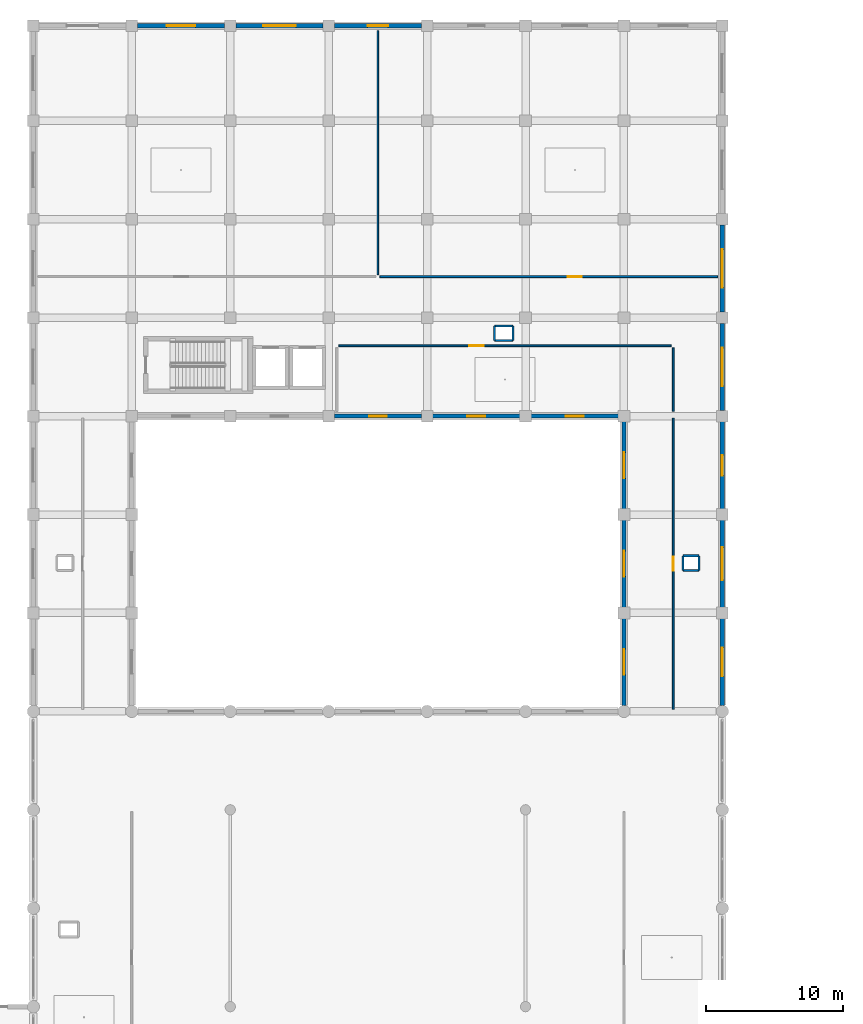
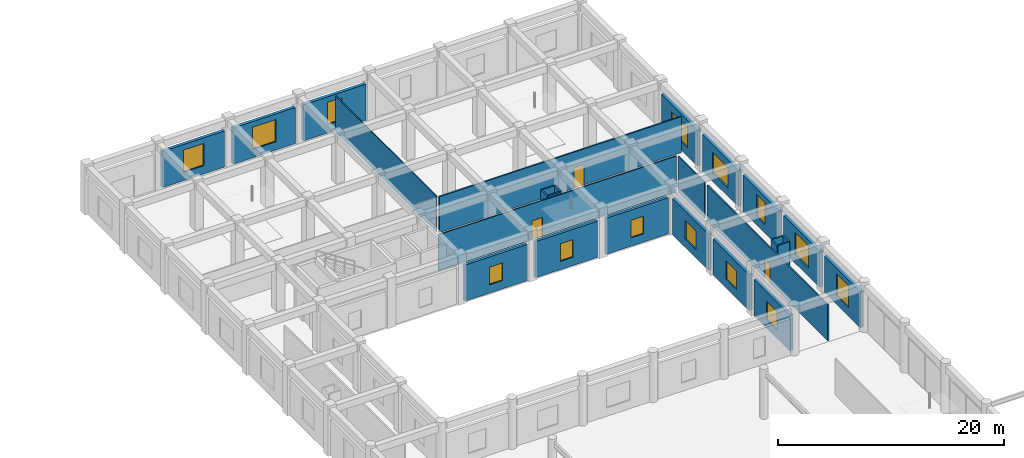
# One storey, part 31 of 56: 27 walls, 14 windows, 3 doors, 17 openings.
"""IFC4 building model written with IfcOpenShell, lengths in metres."""

from ifc_helpers import new_model, si_unit, direction, frame, frame_2d, origin, place, context, subcontext, project, spatial, rectangle, extrude, material, layer, layer_set, type_object, element, fill, save


model = new_model("IFC4")

# Units and contexts
model_context = context("Model", 3, precision=1e-05, world=origin(), true_north=direction((0.0, 1.0)))
body_context = subcontext(model_context, "Body", "Model", "MODEL_VIEW")
ifc_project = project(units=[si_unit("LENGTHUNIT", "METRE"), si_unit("AREAUNIT", "SQUARE_METRE"), si_unit("VOLUMEUNIT", "CUBIC_METRE"), si_unit("PLANEANGLEUNIT", "RADIAN"), si_unit("MASSUNIT", "GRAM", prefix="KILO")], contexts=[model_context])

# Site, building, storey
site_placement = place(None, origin())
site = spatial("IfcSite", under=ifc_project, at=site_placement, CompositionType="ELEMENT")
building_placement = place(site_placement, origin())
building = spatial("IfcBuilding", under=site, at=building_placement, Name="Kazehaya Institute of Natural Sciences", CompositionType="ELEMENT")
storey_placement = place(building_placement, origin())
storey = spatial("IfcBuildingStorey", under=building, at=storey_placement, Name="L00", CompositionType="ELEMENT", Elevation=0.0)

# Wall, opening, window
ifc_material_1 = material(Name="Precast concrete Fc36", Category="concrete")
ifc_layer_1 = layer(ifc_material_1, 0.2900390625, Name="Precast concrete Fc36", Category="concrete")
ifc_layer_set_1 = layer_set([ifc_layer_1], Name="Precast concrete Fc36")
wall_type_1 = type_object("IfcWallType", Name="WL-EXT-290", PredefinedType="SOLIDWALL", material=ifc_layer_set_1)
wall_1_placement = place(storey_placement, frame((104.590087890625, 86.0, 0.0), z_axis=(0.0, 0.0, 1.0), x_axis=(-1.0, 0.0, 0.0)))
wall_1 = element("IfcWall", 1, at=wall_1_placement, inside=storey, type_object=wall_type_1, Name="L00 exterior wall EW-L00-0149", PredefinedType="SOLIDWALL", context=body_context, shape_type="SweptSolid", body=[
    extrude(rectangle(XDim=6.380126953125, YDim=0.2900390625, at=frame_2d((3.18994140625, 0.0))), origin(), (0.0, 0.0, 1.0), 3.89990234375),
])
opening_1_placement = place(wall_1_placement, frame((2.5400390625, 0.0, 0.89990234375)))
opening_1 = element("IfcOpeningElement", 2, at=opening_1_placement, cuts=wall_1, Name="Opening W26", PredefinedType="OPENING", context=body_context, shape_type="SweptSolid", body=[
    extrude(rectangle(XDim=1.300048828125, YDim=1.89990234375, at=frame_2d((0.64990234375, 0.949951171875))), frame((0.0, 0.155029296875, 0.0), z_axis=(0.0, -1.0, 0.0), x_axis=(1.0, 0.0, 0.0)), (0.0, 0.0, 1.0), 0.31005859375),
])
ifc_material_2 = material(Name="Low-E double-glazed aluminium window", Category="aluminium")
window_type_1 = type_object("IfcWindowType", Name="WN-26", PartitioningType="SINGLE_PANEL", PredefinedType="WINDOW", material=ifc_material_2)
window_1_placement = place(opening_1_placement, origin())
window_1 = element("IfcWindow", 3, at=window_1_placement, inside=storey, type_object=window_type_1, Name="L00 facade window 0051", OverallHeight=1.89990234375, OverallWidth=1.300048828125, PartitioningType="SINGLE_PANEL", PredefinedType="WINDOW", context=body_context, shape_type="SweptSolid", body=[
    extrude(rectangle(XDim=1.300048828125, YDim=1.89990234375, at=frame_2d((0.64990234375, 0.949951171875))), frame((0.0, 0.030029296875, 0.0), z_axis=(0.0, -1.0, 0.0), x_axis=(1.0, 0.0, 0.0)), (0.0, 0.0, 1.0), 0.06005859375),
])
fill(opening_1, window_1)

wall_2_placement = place(storey_placement, frame((97.389892578125, 86.0, 0.0), z_axis=(0.0, 0.0, 1.0), x_axis=(-1.0, 0.0, 0.0)))
wall_2 = element("IfcWall", 4, at=wall_2_placement, inside=storey, type_object=wall_type_1, Name="L00 exterior wall EW-L00-0150", PredefinedType="SOLIDWALL", context=body_context, shape_type="SweptSolid", body=[
    extrude(rectangle(XDim=6.3798828125, YDim=0.2900390625, at=frame_2d((3.18994140625, 0.0))), origin(), (0.0, 0.0, 1.0), 3.89990234375),
])
opening_2_placement = place(wall_2_placement, frame((2.5400390625, 0.0, 0.89990234375)))
opening_2 = element("IfcOpeningElement", 5, at=opening_2_placement, cuts=wall_2, Name="Opening W26", PredefinedType="OPENING", context=body_context, shape_type="SweptSolid", body=[
    extrude(rectangle(XDim=1.300048828125, YDim=1.89990234375, at=frame_2d((0.64990234375, 0.949951171875))), frame((0.0, 0.155029296875, 0.0), z_axis=(0.0, -1.0, 0.0), x_axis=(1.0, 0.0, 0.0)), (0.0, 0.0, 1.0), 0.31005859375),
])
window_2_placement = place(opening_2_placement, origin())
window_2 = element("IfcWindow", 6, at=window_2_placement, inside=storey, type_object=window_type_1, Name="L00 facade window 0052", OverallHeight=1.89990234375, OverallWidth=1.300048828125, PartitioningType="SINGLE_PANEL", PredefinedType="WINDOW", context=body_context, shape_type="SweptSolid", body=[
    extrude(rectangle(XDim=1.300048828125, YDim=1.89990234375, at=frame_2d((0.64990234375, 0.949951171875))), frame((0.0, 0.030029296875, 0.0), z_axis=(0.0, -1.0, 0.0), x_axis=(1.0, 0.0, 0.0)), (0.0, 0.0, 1.0), 0.06005859375),
])
fill(opening_2, window_2)

wall_3_placement = place(storey_placement, frame((90.18994140625, 86.0, 0.0), z_axis=(0.0, 0.0, 1.0), x_axis=(-1.0, 0.0, 0.0)))
wall_3 = element("IfcWall", 7, at=wall_3_placement, inside=storey, type_object=wall_type_1, Name="L00 exterior wall EW-L00-0151", PredefinedType="SOLIDWALL", context=body_context, shape_type="SweptSolid", body=[
    extrude(rectangle(XDim=6.3798828125, YDim=0.2900390625, at=frame_2d((3.18994140625, 0.0))), origin(), (0.0, 0.0, 1.0), 3.89990234375),
])
opening_3_placement = place(wall_3_placement, frame((2.5400390625, 0.0, 0.89990234375)))
opening_3 = element("IfcOpeningElement", 8, at=opening_3_placement, cuts=wall_3, Name="Opening W26", PredefinedType="OPENING", context=body_context, shape_type="SweptSolid", body=[
    extrude(rectangle(XDim=1.300048828125, YDim=1.89990234375, at=frame_2d((0.64990234375, 0.949951171875))), frame((0.0, 0.155029296875, 0.0), z_axis=(0.0, -1.0, 0.0), x_axis=(1.0, 0.0, 0.0)), (0.0, 0.0, 1.0), 0.31005859375),
])
window_3_placement = place(opening_3_placement, origin())
window_3 = element("IfcWindow", 9, at=window_3_placement, inside=storey, type_object=window_type_1, Name="L00 facade window 0053", OverallHeight=1.89990234375, OverallWidth=1.300048828125, PartitioningType="SINGLE_PANEL", PredefinedType="WINDOW", context=body_context, shape_type="SweptSolid", body=[
    extrude(rectangle(XDim=1.300048828125, YDim=1.89990234375, at=frame_2d((0.64990234375, 0.949951171875))), frame((0.0, 0.030029296875, 0.0), z_axis=(0.0, -1.0, 0.0), x_axis=(1.0, 0.0, 0.0)), (0.0, 0.0, 1.0), 0.06005859375),
])
fill(opening_3, window_3)

ifc_layer_2 = layer(ifc_material_1, 0.31005859375, Name="Precast concrete Fc36", Category="concrete")
ifc_layer_set_2 = layer_set([ifc_layer_2], Name="Precast concrete Fc36")
wall_type_2 = type_object("IfcWallType", Name="WL-EXT-310", PredefinedType="SOLIDWALL", material=ifc_layer_set_2)
wall_4_placement = place(storey_placement, frame((105.0, 64.8349609375, 0.0), z_axis=(0.0, 0.0, 1.0), x_axis=(0.0, 1.0, 0.0)))
wall_4 = element("IfcWall", 10, at=wall_4_placement, inside=storey, type_object=wall_type_2, Name="L00 exterior wall EW-L00-0125", PredefinedType="SOLIDWALL", context=body_context, shape_type="SweptSolid", body=[
    extrude(rectangle(XDim=6.35498046875, YDim=0.31005859375, at=frame_2d((3.177490234375, 0.0))), origin(), (0.0, 0.0, 1.0), 3.89990234375),
])
opening_4_placement = place(wall_4_placement, frame((2.2275390625, 0.0, 0.89990234375)))
opening_4 = element("IfcOpeningElement", 11, at=opening_4_placement, cuts=wall_4, Name="Opening W23", PredefinedType="OPENING", context=body_context, shape_type="SweptSolid", body=[
    extrude(rectangle(XDim=1.89990234375, YDim=2.0, at=frame_2d((0.949951171875, 1.0))), frame((0.0, 0.1650390625, 0.0), z_axis=(0.0, -1.0, 0.0), x_axis=(1.0, 0.0, 0.0)), (0.0, 0.0, 1.0), 0.330078125),
])
window_type_2 = type_object("IfcWindowType", Name="WN-23", PartitioningType="DOUBLE_PANEL_VERTICAL", PredefinedType="WINDOW", material=ifc_material_2)
window_4_placement = place(opening_4_placement, origin())
window_4 = element("IfcWindow", 12, at=window_4_placement, inside=storey, type_object=window_type_2, Name="L00 facade window 0028", OverallHeight=2.0, OverallWidth=1.89990234375, PartitioningType="DOUBLE_PANEL_VERTICAL", PredefinedType="WINDOW", context=body_context, shape_type="SweptSolid", body=[
    extrude(rectangle(XDim=1.89990234375, YDim=2.0, at=frame_2d((0.949951171875, 1.0))), frame((0.0, 0.030029296875, 0.0), z_axis=(0.0, -1.0, 0.0), x_axis=(1.0, 0.0, 0.0)), (0.0, 0.0, 1.0), 0.06005859375),
])
fill(opening_4, window_4)

wall_5_placement = place(storey_placement, frame((105.0, 72.010009765625, 0.0), z_axis=(0.0, 0.0, 1.0), x_axis=(0.0, 1.0, 0.0)))
wall_5 = element("IfcWall", 13, at=wall_5_placement, inside=storey, type_object=wall_type_2, Name="L00 exterior wall EW-L00-0129", PredefinedType="SOLIDWALL", context=body_context, shape_type="SweptSolid", body=[
    extrude(rectangle(XDim=6.3798828125, YDim=0.31005859375, at=frame_2d((3.18994140625, 0.0))), origin(), (0.0, 0.0, 1.0), 3.89990234375),
])
opening_5_placement = place(wall_5_placement, frame((2.239990234375, 0.0, 0.89990234375)))
opening_5 = element("IfcOpeningElement", 14, at=opening_5_placement, cuts=wall_5, Name="Opening W23", PredefinedType="OPENING", context=body_context, shape_type="SweptSolid", body=[
    extrude(rectangle(XDim=1.89990234375, YDim=2.0, at=frame_2d((0.949951171875, 1.0))), frame((0.0, 0.1650390625, 0.0), z_axis=(0.0, -1.0, 0.0), x_axis=(1.0, 0.0, 0.0)), (0.0, 0.0, 1.0), 0.330078125),
])
window_5_placement = place(opening_5_placement, origin())
window_5 = element("IfcWindow", 15, at=window_5_placement, inside=storey, type_object=window_type_2, Name="L00 facade window 0032", OverallHeight=2.0, OverallWidth=1.89990234375, PartitioningType="DOUBLE_PANEL_VERTICAL", PredefinedType="WINDOW", context=body_context, shape_type="SweptSolid", body=[
    extrude(rectangle(XDim=1.89990234375, YDim=2.0, at=frame_2d((0.949951171875, 1.0))), frame((0.0, 0.030029296875, 0.0), z_axis=(0.0, -1.0, 0.0), x_axis=(1.0, 0.0, 0.0)), (0.0, 0.0, 1.0), 0.06005859375),
])
fill(opening_5, window_5)

wall_6_placement = place(storey_placement, frame((105.0, 79.2099609375, 0.0), z_axis=(0.0, 0.0, 1.0), x_axis=(0.0, 1.0, 0.0)))
wall_6 = element("IfcWall", 16, at=wall_6_placement, inside=storey, type_object=wall_type_2, Name="L00 exterior wall EW-L00-0133", PredefinedType="SOLIDWALL", context=body_context, shape_type="SweptSolid", body=[
    extrude(rectangle(XDim=6.380126953125, YDim=0.31005859375, at=frame_2d((3.18994140625, 0.0))), origin(), (0.0, 0.0, 1.0), 3.89990234375),
])
opening_6_placement = place(wall_6_placement, frame((2.239990234375, 0.0, 0.89990234375)))
opening_6 = element("IfcOpeningElement", 17, at=opening_6_placement, cuts=wall_6, Name="Opening W23", PredefinedType="OPENING", context=body_context, shape_type="SweptSolid", body=[
    extrude(rectangle(XDim=1.89990234375, YDim=2.0, at=frame_2d((0.949951171875, 1.0))), frame((0.0, 0.1650390625, 0.0), z_axis=(0.0, -1.0, 0.0), x_axis=(1.0, 0.0, 0.0)), (0.0, 0.0, 1.0), 0.330078125),
])
window_6_placement = place(opening_6_placement, origin())
window_6 = element("IfcWindow", 18, at=window_6_placement, inside=storey, type_object=window_type_2, Name="L00 facade window 0036", OverallHeight=2.0, OverallWidth=1.89990234375, PartitioningType="DOUBLE_PANEL_VERTICAL", PredefinedType="WINDOW", context=body_context, shape_type="SweptSolid", body=[
    extrude(rectangle(XDim=1.89990234375, YDim=2.0, at=frame_2d((0.949951171875, 1.0))), frame((0.0, 0.030029296875, 0.0), z_axis=(0.0, -1.0, 0.0), x_axis=(1.0, 0.0, 0.0)), (0.0, 0.0, 1.0), 0.06005859375),
])
fill(opening_6, window_6)

ifc_layer_3 = layer(ifc_material_1, 0.320068359375, Name="Precast concrete Fc36", Category="concrete")
ifc_layer_set_3 = layer_set([ifc_layer_3], Name="Precast concrete Fc36")
wall_type_3 = type_object("IfcWallType", Name="WL-EXT-320", PredefinedType="SOLIDWALL", material=ifc_layer_set_3)
wall_7_placement = place(storey_placement, frame((112.199951171875, 71.18994140625, 0.0), z_axis=(0.0, 0.0, 1.0), x_axis=(0.0, -1.0, 0.0)))
wall_7 = element("IfcWall", 19, at=wall_7_placement, inside=storey, type_object=wall_type_3, Name="L00 exterior wall EW-L00-0123", PredefinedType="SOLIDWALL", context=body_context, shape_type="SweptSolid", body=[
    extrude(rectangle(XDim=6.35498046875, YDim=0.320068359375, at=frame_2d((3.177490234375, 0.0))), origin(), (0.0, 0.0, 1.0), 3.89990234375),
])
opening_7_placement = place(wall_7_placement, frame((2.12744140625, 0.0, 0.89990234375)))
opening_7 = element("IfcOpeningElement", 20, at=opening_7_placement, cuts=wall_7, Name="Opening W02", PredefinedType="OPENING", context=body_context, shape_type="SweptSolid", body=[
    extrude(rectangle(XDim=2.10009765625, YDim=2.39990234375, at=frame_2d((1.050048828125, 1.199951171875))), frame((0.0, 0.169921875, 0.0), z_axis=(0.0, -1.0, 0.0), x_axis=(1.0, 0.0, 0.0)), (0.0, 0.0, 1.0), 0.340087890625),
])
window_type_3 = type_object("IfcWindowType", Name="WN-02", PartitioningType="DOUBLE_PANEL_VERTICAL", PredefinedType="WINDOW", material=ifc_material_2)
window_7_placement = place(opening_7_placement, origin())
window_7 = element("IfcWindow", 21, at=window_7_placement, inside=storey, type_object=window_type_3, Name="L00 facade window 0026", OverallHeight=2.39990234375, OverallWidth=2.10009765625, PartitioningType="DOUBLE_PANEL_VERTICAL", PredefinedType="WINDOW", context=body_context, shape_type="SweptSolid", body=[
    extrude(rectangle(XDim=2.10009765625, YDim=2.39990234375, at=frame_2d((1.050048828125, 1.199951171875))), frame((0.0, 0.030029296875, 0.0), z_axis=(0.0, -1.0, 0.0), x_axis=(1.0, 0.0, 0.0)), (0.0, 0.0, 1.0), 0.06005859375),
])
fill(opening_7, window_7)

wall_8_placement = place(storey_placement, frame((112.199951171875, 78.389892578125, 0.0), z_axis=(0.0, 0.0, 1.0), x_axis=(0.0, -1.0, 0.0)))
wall_8 = element("IfcWall", 22, at=wall_8_placement, inside=storey, type_object=wall_type_3, Name="L00 exterior wall EW-L00-0127", PredefinedType="SOLIDWALL", context=body_context, shape_type="SweptSolid", body=[
    extrude(rectangle(XDim=6.3798828125, YDim=0.320068359375, at=frame_2d((3.18994140625, 0.0))), origin(), (0.0, 0.0, 1.0), 3.89990234375),
])
opening_8_placement = place(wall_8_placement, frame((1.989990234375, 0.0, 0.89990234375)))
opening_8 = element("IfcOpeningElement", 23, at=opening_8_placement, cuts=wall_8, Name="Opening W03", PredefinedType="OPENING", context=body_context, shape_type="SweptSolid", body=[
    extrude(rectangle(XDim=2.39990234375, YDim=2.39990234375, at=frame_2d((1.199951171875, 1.199951171875))), frame((0.0, 0.169921875, 0.0), z_axis=(0.0, -1.0, 0.0), x_axis=(1.0, 0.0, 0.0)), (0.0, 0.0, 1.0), 0.340087890625),
])
window_type_4 = type_object("IfcWindowType", Name="WN-03", PartitioningType="DOUBLE_PANEL_VERTICAL", PredefinedType="WINDOW", material=ifc_material_2)
window_8_placement = place(opening_8_placement, origin())
window_8 = element("IfcWindow", 24, at=window_8_placement, inside=storey, type_object=window_type_4, Name="L00 facade window 0030", OverallHeight=2.39990234375, OverallWidth=2.39990234375, PartitioningType="DOUBLE_PANEL_VERTICAL", PredefinedType="WINDOW", context=body_context, shape_type="SweptSolid", body=[
    extrude(rectangle(XDim=2.39990234375, YDim=2.39990234375, at=frame_2d((1.199951171875, 1.199951171875))), frame((0.0, 0.030029296875, 0.0), z_axis=(0.0, -1.0, 0.0), x_axis=(1.0, 0.0, 0.0)), (0.0, 0.0, 1.0), 0.06005859375),
])
fill(opening_8, window_8)

wall_9_placement = place(storey_placement, frame((112.199951171875, 85.590087890625, 0.0), z_axis=(0.0, 0.0, 1.0), x_axis=(0.0, -1.0, 0.0)))
wall_9 = element("IfcWall", 25, at=wall_9_placement, inside=storey, type_object=wall_type_3, Name="L00 exterior wall EW-L00-0131", PredefinedType="SOLIDWALL", context=body_context, shape_type="SweptSolid", body=[
    extrude(rectangle(XDim=6.380126953125, YDim=0.320068359375, at=frame_2d((3.18994140625, 0.0))), origin(), (0.0, 0.0, 1.0), 3.89990234375),
])
opening_9_placement = place(wall_9_placement, frame((2.43994140625, 0.0, 0.89990234375)))
opening_9 = element("IfcOpeningElement", 26, at=opening_9_placement, cuts=wall_9, Name="Opening W04", PredefinedType="OPENING", context=body_context, shape_type="SweptSolid", body=[
    extrude(rectangle(XDim=1.5, YDim=2.39990234375, at=frame_2d((0.75, 1.199951171875))), frame((0.0, 0.169921875, 0.0), z_axis=(0.0, -1.0, 0.0), x_axis=(1.0, 0.0, 0.0)), (0.0, 0.0, 1.0), 0.340087890625),
])
window_type_5 = type_object("IfcWindowType", Name="WN-04", PartitioningType="SINGLE_PANEL", PredefinedType="WINDOW", material=ifc_material_2)
window_9_placement = place(opening_9_placement, origin())
window_9 = element("IfcWindow", 27, at=window_9_placement, inside=storey, type_object=window_type_5, Name="L00 facade window 0034", OverallHeight=2.39990234375, OverallWidth=1.5, PartitioningType="SINGLE_PANEL", PredefinedType="WINDOW", context=body_context, shape_type="SweptSolid", body=[
    extrude(rectangle(XDim=1.5, YDim=2.39990234375, at=frame_2d((0.75, 1.199951171875))), frame((0.0, 0.030029296875, 0.0), z_axis=(0.0, -1.0, 0.0), x_axis=(1.0, 0.0, 0.0)), (0.0, 0.0, 1.0), 0.06005859375),
])
fill(opening_9, window_9)

wall_10_placement = place(storey_placement, frame((112.199951171875, 92.7900390625, 0.0), z_axis=(0.0, 0.0, 1.0), x_axis=(0.0, -1.0, 0.0)))
wall_10 = element("IfcWall", 28, at=wall_10_placement, inside=storey, type_object=wall_type_3, Name="L00 exterior wall EW-L00-0135", PredefinedType="SOLIDWALL", context=body_context, shape_type="SweptSolid", body=[
    extrude(rectangle(XDim=6.380126953125, YDim=0.320068359375, at=frame_2d((3.18994140625, 0.0))), origin(), (0.0, 0.0, 1.0), 3.89990234375),
])
opening_10_placement = place(wall_10_placement, frame((1.7900390625, 0.0, 0.89990234375)))
opening_10 = element("IfcOpeningElement", 29, at=opening_10_placement, cuts=wall_10, Name="Opening W25", PredefinedType="OPENING", context=body_context, shape_type="SweptSolid", body=[
    extrude(rectangle(XDim=2.800048828125, YDim=2.199951171875, at=frame_2d((1.39990234375, 1.10009765625))), frame((0.0, 0.169921875, 0.0), z_axis=(0.0, -1.0, 0.0), x_axis=(1.0, 0.0, 0.0)), (0.0, 0.0, 1.0), 0.340087890625),
])
window_type_6 = type_object("IfcWindowType", Name="WN-25", PartitioningType="DOUBLE_PANEL_VERTICAL", PredefinedType="WINDOW", material=ifc_material_2)
window_10_placement = place(opening_10_placement, origin())
window_10 = element("IfcWindow", 30, at=window_10_placement, inside=storey, type_object=window_type_6, Name="L00 facade window 0038", OverallHeight=2.199951171875, OverallWidth=2.800048828125, PartitioningType="DOUBLE_PANEL_VERTICAL", PredefinedType="WINDOW", context=body_context, shape_type="SweptSolid", body=[
    extrude(rectangle(XDim=2.800048828125, YDim=2.199951171875, at=frame_2d((1.39990234375, 1.10009765625))), frame((0.0, 0.030029296875, 0.0), z_axis=(0.0, -1.0, 0.0), x_axis=(1.0, 0.0, 0.0)), (0.0, 0.0, 1.0), 0.06005859375),
])
fill(opening_10, window_10)

wall_11_placement = place(storey_placement, frame((112.199951171875, 99.989990234375, 0.0), z_axis=(0.0, 0.0, 1.0), x_axis=(0.0, -1.0, 0.0)))
wall_11 = element("IfcWall", 31, at=wall_11_placement, inside=storey, type_object=wall_type_3, Name="L00 exterior wall EW-L00-0137", PredefinedType="SOLIDWALL", context=body_context, shape_type="SweptSolid", body=[
    extrude(rectangle(XDim=6.3798828125, YDim=0.320068359375, at=frame_2d((3.18994140625, 0.0))), origin(), (0.0, 0.0, 1.0), 3.89990234375),
])
opening_11_placement = place(wall_11_placement, frame((1.7900390625, 0.0, 0.89990234375)))
opening_11 = element("IfcOpeningElement", 32, at=opening_11_placement, cuts=wall_11, Name="Opening W25", PredefinedType="OPENING", context=body_context, shape_type="SweptSolid", body=[
    extrude(rectangle(XDim=2.800048828125, YDim=2.199951171875, at=frame_2d((1.39990234375, 1.10009765625))), frame((0.0, 0.169921875, 0.0), z_axis=(0.0, -1.0, 0.0), x_axis=(1.0, 0.0, 0.0)), (0.0, 0.0, 1.0), 0.340087890625),
])
window_11_placement = place(opening_11_placement, origin())
window_11 = element("IfcWindow", 33, at=window_11_placement, inside=storey, type_object=window_type_6, Name="L00 facade window 0040", OverallHeight=2.199951171875, OverallWidth=2.800048828125, PartitioningType="DOUBLE_PANEL_VERTICAL", PredefinedType="WINDOW", context=body_context, shape_type="SweptSolid", body=[
    extrude(rectangle(XDim=2.800048828125, YDim=2.199951171875, at=frame_2d((1.39990234375, 1.10009765625))), frame((0.0, 0.030029296875, 0.0), z_axis=(0.0, -1.0, 0.0), x_axis=(1.0, 0.0, 0.0)), (0.0, 0.0, 1.0), 0.06005859375),
])
fill(opening_11, window_11)

wall_12_placement = place(storey_placement, frame((69.409912109375, 114.550048828125, 0.0), z_axis=(0.0, 0.0, 1.0), x_axis=(1.0, 0.0, 0.0)))
wall_12 = element("IfcWall", 34, at=wall_12_placement, inside=storey, type_object=wall_type_3, Name="L00 exterior wall EW-L00-0143", PredefinedType="SOLIDWALL", context=body_context, shape_type="SweptSolid", body=[
    extrude(rectangle(XDim=6.380126953125, YDim=0.320068359375, at=frame_2d((3.18994140625, 0.0))), origin(), (0.0, 0.0, 1.0), 3.89990234375),
])
opening_12_placement = place(wall_12_placement, frame((2.139892578125, 0.0, 0.89990234375)))
opening_12 = element("IfcOpeningElement", 35, at=opening_12_placement, cuts=wall_12, Name="Opening W02", PredefinedType="OPENING", context=body_context, shape_type="SweptSolid", body=[
    extrude(rectangle(XDim=2.10009765625, YDim=2.39990234375, at=frame_2d((1.050048828125, 1.199951171875))), frame((0.0, 0.169921875, 0.0), z_axis=(0.0, -1.0, 0.0), x_axis=(1.0, 0.0, 0.0)), (0.0, 0.0, 1.0), 0.340087890625),
])
window_12_placement = place(opening_12_placement, origin())
window_12 = element("IfcWindow", 36, at=window_12_placement, inside=storey, type_object=window_type_3, Name="L00 facade window 0045", OverallHeight=2.39990234375, OverallWidth=2.10009765625, PartitioningType="DOUBLE_PANEL_VERTICAL", PredefinedType="WINDOW", context=body_context, shape_type="SweptSolid", body=[
    extrude(rectangle(XDim=2.10009765625, YDim=2.39990234375, at=frame_2d((1.050048828125, 1.199951171875))), frame((0.0, 0.030029296875, 0.0), z_axis=(0.0, -1.0, 0.0), x_axis=(1.0, 0.0, 0.0)), (0.0, 0.0, 1.0), 0.06005859375),
])
fill(opening_12, window_12)

wall_13_placement = place(storey_placement, frame((76.610107421875, 114.550048828125, 0.0), z_axis=(0.0, 0.0, 1.0), x_axis=(1.0, 0.0, 0.0)))
wall_13 = element("IfcWall", 37, at=wall_13_placement, inside=storey, type_object=wall_type_3, Name="L00 exterior wall EW-L00-0144", PredefinedType="SOLIDWALL", context=body_context, shape_type="SweptSolid", body=[
    extrude(rectangle(XDim=6.3798828125, YDim=0.320068359375, at=frame_2d((3.18994140625, 0.0))), origin(), (0.0, 0.0, 1.0), 3.89990234375),
])
opening_13_placement = place(wall_13_placement, frame((1.989990234375, 0.0, 0.89990234375)))
opening_13 = element("IfcOpeningElement", 38, at=opening_13_placement, cuts=wall_13, Name="Opening W03", PredefinedType="OPENING", context=body_context, shape_type="SweptSolid", body=[
    extrude(rectangle(XDim=2.39990234375, YDim=2.39990234375, at=frame_2d((1.199951171875, 1.199951171875))), frame((0.0, 0.169921875, 0.0), z_axis=(0.0, -1.0, 0.0), x_axis=(1.0, 0.0, 0.0)), (0.0, 0.0, 1.0), 0.340087890625),
])
window_13_placement = place(opening_13_placement, origin())
window_13 = element("IfcWindow", 39, at=window_13_placement, inside=storey, type_object=window_type_4, Name="L00 facade window 0046", OverallHeight=2.39990234375, OverallWidth=2.39990234375, PartitioningType="DOUBLE_PANEL_VERTICAL", PredefinedType="WINDOW", context=body_context, shape_type="SweptSolid", body=[
    extrude(rectangle(XDim=2.39990234375, YDim=2.39990234375, at=frame_2d((1.199951171875, 1.199951171875))), frame((0.0, 0.030029296875, 0.0), z_axis=(0.0, -1.0, 0.0), x_axis=(1.0, 0.0, 0.0)), (0.0, 0.0, 1.0), 0.06005859375),
])
fill(opening_13, window_13)

wall_14_placement = place(storey_placement, frame((83.81005859375, 114.550048828125, 0.0), z_axis=(0.0, 0.0, 1.0), x_axis=(1.0, 0.0, 0.0)))
wall_14 = element("IfcWall", 40, at=wall_14_placement, inside=storey, type_object=wall_type_3, Name="L00 exterior wall EW-L00-0145", PredefinedType="SOLIDWALL", context=body_context, shape_type="SweptSolid", body=[
    extrude(rectangle(XDim=6.3798828125, YDim=0.320068359375, at=frame_2d((3.18994140625, 0.0))), origin(), (0.0, 0.0, 1.0), 3.89990234375),
])
opening_14_placement = place(wall_14_placement, frame((2.43994140625, 0.0, 0.89990234375)))
opening_14 = element("IfcOpeningElement", 41, at=opening_14_placement, cuts=wall_14, Name="Opening W04", PredefinedType="OPENING", context=body_context, shape_type="SweptSolid", body=[
    extrude(rectangle(XDim=1.5, YDim=2.39990234375, at=frame_2d((0.75, 1.199951171875))), frame((0.0, 0.169921875, 0.0), z_axis=(0.0, -1.0, 0.0), x_axis=(1.0, 0.0, 0.0)), (0.0, 0.0, 1.0), 0.340087890625),
])
window_14_placement = place(opening_14_placement, origin())
window_14 = element("IfcWindow", 42, at=window_14_placement, inside=storey, type_object=window_type_5, Name="L00 facade window 0047", OverallHeight=2.39990234375, OverallWidth=1.5, PartitioningType="SINGLE_PANEL", PredefinedType="WINDOW", context=body_context, shape_type="SweptSolid", body=[
    extrude(rectangle(XDim=1.5, YDim=2.39990234375, at=frame_2d((0.75, 1.199951171875))), frame((0.0, 0.030029296875, 0.0), z_axis=(0.0, -1.0, 0.0), x_axis=(1.0, 0.0, 0.0)), (0.0, 0.0, 1.0), 0.06005859375),
])
fill(opening_14, window_14)

# Wall
ifc_material_3 = material(Name="Lightweight chase partition")
ifc_layer_4 = layer(ifc_material_3, 0.10009765625, Name="Lightweight chase partition")
ifc_layer_set_4 = layer_set([ifc_layer_4], Name="Lightweight chase partition")
wall_type_4 = type_object("IfcWallType", Name="WL-PART-100", PredefinedType="PARTITIONING", material=ifc_layer_set_4)
wall_15_placement = place(storey_placement, frame((87.0, 114.199951171875, 0.0), z_axis=(0.0, 0.0, 1.0), x_axis=(0.0, -1.0, 0.0)))
element("IfcWall", 43, at=wall_15_placement, inside=storey, type_object=wall_type_4, Name="L00 Dry Computational Laboratory partition IW-L00-0075", PredefinedType="PARTITIONING", context=body_context, shape_type="SweptSolid", body=[
    extrude(rectangle(XDim=17.849853515625, YDim=0.10009765625, at=frame_2d((8.9248046875, 0.0))), origin(), (0.0, 0.0, 1.0), 3.8798828125),
])

# Wall, opening, door
ifc_material_4 = material(Name="Moisture-resistant WC partition")
ifc_layer_5 = layer(ifc_material_4, 0.1298828125, Name="Moisture-resistant WC partition")
ifc_layer_set_5 = layer_set([ifc_layer_5], Name="Moisture-resistant WC partition")
wall_type_5 = type_object("IfcWallType", Name="WL-PART-130", PredefinedType="PARTITIONING", material=ifc_layer_set_5)
wall_16_placement = place(storey_placement, frame((108.60009765625, 85.85009765625, 0.0), z_axis=(0.0, 0.0, 1.0), x_axis=(0.0, -1.0, 0.0)))
wall_16 = element("IfcWall", 44, at=wall_16_placement, inside=storey, type_object=wall_type_5, Name="L00 Researcher Write-up Office partition IW-L00-0073", PredefinedType="PARTITIONING", context=body_context, shape_type="SweptSolid", body=[
    extrude(rectangle(XDim=21.300048828125, YDim=0.1298828125, at=frame_2d((10.64990234375, 0.0))), origin(), (0.0, 0.0, 1.0), 3.8798828125),
])
opening_15_placement = place(wall_16_placement, frame((10.135009765625, 0.0, 0.0)))
opening_15 = element("IfcOpeningElement", 45, at=opening_15_placement, cuts=wall_16, Name="Opening D-L00-0072", PredefinedType="OPENING", context=body_context, shape_type="SweptSolid", body=[
    extrude(rectangle(XDim=1.030029296875, YDim=2.10009765625, at=frame_2d((0.51513671875, 1.050048828125))), frame((0.0, 0.074951171875, 0.0), z_axis=(0.0, -1.0, 0.0), x_axis=(1.0, 0.0, 0.0)), (0.0, 0.0, 1.0), 0.14990234375),
])
ifc_material_5 = material(Name="Flush timber and aluminium laboratory door", Category="wood")
door_type_1 = type_object("IfcDoorType", Name="DT-INT-18", OperationType="NOTDEFINED", PredefinedType="DOOR", material=ifc_material_5)
door_1_placement = place(opening_15_placement, origin())
door_1 = element("IfcDoor", 46, at=door_1_placement, inside=storey, type_object=door_type_1, Name="L00 Researcher Write-up Office door D-L00-0072", OperationType="SINGLE_SWING_RIGHT", OverallHeight=2.10009765625, OverallWidth=1.030029296875, PredefinedType="DOOR", context=body_context, shape_type="SweptSolid", body=[
    extrude(rectangle(XDim=1.030029296875, YDim=2.10009765625, at=frame_2d((0.51513671875, 1.050048828125))), frame((0.0, 0.02490234375, 0.0), z_axis=(0.0, -1.0, 0.0), x_axis=(1.0, 0.0, 0.0)), (0.0, 0.0, 1.0), 0.050048828125),
])
fill(opening_15, door_1)

wall_17_placement = place(storey_placement, frame((84.14990234375, 91.14990234375, 0.0), z_axis=(0.0, 0.0, 1.0), x_axis=(1.0, 0.0, 0.0)))
wall_17 = element("IfcWall", 47, at=wall_17_placement, inside=storey, type_object=wall_type_5, Name="L00 Researcher Write-up Office partition IW-L00-0077", PredefinedType="PARTITIONING", context=body_context, shape_type="SweptSolid", body=[
    extrude(rectangle(XDim=24.300048828125, YDim=0.1298828125, at=frame_2d((12.14990234375, 0.0))), origin(), (0.0, 0.0, 1.0), 3.8798828125),
])
opening_16_placement = place(wall_17_placement, frame((9.514892578125, 0.0, 0.0)))
opening_16 = element("IfcOpeningElement", 48, at=opening_16_placement, cuts=wall_17, Name="Opening D-L00-0075", PredefinedType="OPENING", context=body_context, shape_type="SweptSolid", body=[
    extrude(rectangle(XDim=1.070068359375, YDim=2.050048828125, at=frame_2d((0.53515625, 1.02490234375))), frame((0.0, 0.074951171875, 0.0), z_axis=(0.0, -1.0, 0.0), x_axis=(1.0, 0.0, 0.0)), (0.0, 0.0, 1.0), 0.14990234375),
])
door_type_2 = type_object("IfcDoorType", Name="DT-INT-21", OperationType="NOTDEFINED", PredefinedType="DOOR", material=ifc_material_5)
door_2_placement = place(opening_16_placement, origin())
door_2 = element("IfcDoor", 49, at=door_2_placement, inside=storey, type_object=door_type_2, Name="L00 Researcher Write-up Office door D-L00-0075", OperationType="SINGLE_SWING_LEFT", OverallHeight=2.050048828125, OverallWidth=1.070068359375, PredefinedType="DOOR", context=body_context, shape_type="SweptSolid", body=[
    extrude(rectangle(XDim=1.070068359375, YDim=2.050048828125, at=frame_2d((0.53515625, 1.02490234375))), frame((0.0, 0.02490234375, 0.0), z_axis=(0.0, -1.0, 0.0), x_axis=(1.0, 0.0, 0.0)), (0.0, 0.0, 1.0), 0.050048828125),
])
fill(opening_16, door_2)

# Wall
wall_18_placement = place(storey_placement, frame((108.60009765625, 91.0, 0.0), z_axis=(0.0, 0.0, 1.0), x_axis=(0.0, -1.0, 0.0)))
element("IfcWall", 50, at=wall_18_placement, inside=storey, type_object=wall_type_5, Name="L00 Researcher Write-up Office partition IW-L00-0079", PredefinedType="PARTITIONING", context=body_context, shape_type="SweptSolid", body=[
    extrude(rectangle(XDim=4.64990234375, YDim=0.1298828125, at=frame_2d((2.324951171875, 0.0))), origin(), (0.0, 0.0, 1.0), 3.8798828125),
])

# Wall, opening, door
ifc_material_6 = material(Name="Gypsum partition", Category="gypsum")
ifc_layer_6 = layer(ifc_material_6, 0.139892578125, Name="Gypsum partition", Category="gypsum")
ifc_layer_set_6 = layer_set([ifc_layer_6], Name="Gypsum partition")
wall_type_6 = type_object("IfcWallType", Name="WL-PART-140", PredefinedType="PARTITIONING", material=ifc_layer_set_6)
wall_19_placement = place(storey_placement, frame((111.85009765625, 96.199951171875, 0.0), z_axis=(0.0, 0.0, 1.0), x_axis=(-1.0, 0.0, 0.0)))
wall_19 = element("IfcWall", 51, at=wall_19_placement, inside=storey, type_object=wall_type_6, Name="L00 Bioinformatics Modelling Lab partition IW-L00-0076", PredefinedType="PARTITIONING", context=body_context, shape_type="SweptSolid", body=[
    extrude(rectangle(XDim=24.7001953125, YDim=0.139892578125, at=frame_2d((12.35009765625, 0.0))), origin(), (0.0, 0.0, 1.0), 3.8798828125),
])
opening_17_placement = place(wall_19_placement, frame((9.93505859375, 0.0, 0.0)))
opening_17 = element("IfcOpeningElement", 52, at=opening_17_placement, cuts=wall_19, Name="Opening D-L00-0074", PredefinedType="OPENING", context=body_context, shape_type="SweptSolid", body=[
    extrude(rectangle(XDim=1.030029296875, YDim=2.219970703125, at=frame_2d((0.51513671875, 1.10986328125))), frame((0.0, 0.079833984375, 0.0), z_axis=(0.0, -1.0, 0.0), x_axis=(1.0, 0.0, 0.0)), (0.0, 0.0, 1.0), 0.159912109375),
])
door_type_3 = type_object("IfcDoorType", Name="DT-INT-20", OperationType="NOTDEFINED", PredefinedType="DOOR", material=ifc_material_5)
door_3_placement = place(opening_17_placement, origin())
door_3 = element("IfcDoor", 53, at=door_3_placement, inside=storey, type_object=door_type_3, Name="L00 Bioinformatics Modelling Lab door D-L00-0074", OperationType="SINGLE_SWING_RIGHT", OverallHeight=2.219970703125, OverallWidth=1.030029296875, PredefinedType="DOOR", context=body_context, shape_type="SweptSolid", body=[
    extrude(rectangle(XDim=1.030029296875, YDim=2.219970703125, at=frame_2d((0.51513671875, 1.10986328125))), frame((0.0, 0.02490234375, 0.0), z_axis=(0.0, -1.0, 0.0), x_axis=(1.0, 0.0, 0.0)), (0.0, 0.0, 1.0), 0.050048828125),
])
fill(opening_17, door_3)

# Walls
ifc_material_7 = material(Name="Concrete Fc36", Category="concrete")
ifc_layer_7 = layer(ifc_material_7, 0.14990234375, Name="Concrete Fc36", Category="concrete")
ifc_layer_set_7 = layer_set([ifc_layer_7], Name="Concrete Fc36")
wall_type_7 = type_object("IfcWallType", Name="WL-RISER-150", PredefinedType="PARTITIONING", material=ifc_layer_set_7)
for number, where, z_axis, x_axis, name in (
    (54, (110.485107421875, 74.715087890625, 0.0), (0.0, 0.0, 1.0), (-1.0, 0.0, 0.0), "L00 fume exhaust riser shaft wall 15"),
    (55, (109.31494140625, 75.784912109375, 0.0), (0.0, 0.0, 1.0), (1.0, 0.0, 0.0), "L00 fume exhaust riser shaft wall 15"),
):
    element("IfcWall", number, at=place(storey_placement, frame(where, z_axis=z_axis, x_axis=x_axis)), inside=storey, type_object=wall_type_7, Name=name, PredefinedType="PARTITIONING", context=body_context, shape_type="SweptSolid", body=[
        extrude(rectangle(XDim=1.170166015625, YDim=0.14990234375, at=frame_2d((0.5849609375, 0.0))), origin(), (0.0, 0.0, 1.0), 3.8798828125),
    ])
for number, where, z_axis, x_axis, name in (
    (56, (109.31494140625, 74.715087890625, 0.0), (0.0, 0.0, 1.0), (0.0, 1.0, 0.0), "L00 fume exhaust riser shaft wall 15"),
    (57, (110.485107421875, 75.784912109375, 0.0), (0.0, 0.0, 1.0), (0.0, -1.0, 0.0), "L00 fume exhaust riser shaft wall 15"),
):
    element("IfcWall", number, at=place(storey_placement, frame(where, z_axis=z_axis, x_axis=x_axis)), inside=storey, type_object=wall_type_7, Name=name, PredefinedType="PARTITIONING", context=body_context, shape_type="SweptSolid", body=[
        extrude(rectangle(XDim=1.06982421875, YDim=0.14990234375, at=frame_2d((0.534912109375, 0.0))), origin(), (0.0, 0.0, 1.0), 3.8798828125),
    ])
for number, where, z_axis, x_axis, name in (
    (58, (96.885009765625, 91.514892578125, 0.0), (0.0, 0.0, 1.0), (-1.0, 0.0, 0.0), "L00 fume exhaust riser shaft wall 16"),
    (59, (95.514892578125, 92.5849609375, 0.0), (0.0, 0.0, 1.0), (1.0, 0.0, 0.0), "L00 fume exhaust riser shaft wall 16"),
):
    element("IfcWall", number, at=place(storey_placement, frame(where, z_axis=z_axis, x_axis=x_axis)), inside=storey, type_object=wall_type_7, Name=name, PredefinedType="PARTITIONING", context=body_context, shape_type="SweptSolid", body=[
        extrude(rectangle(XDim=1.3701171875, YDim=0.14990234375, at=frame_2d((0.68505859375, 0.0))), origin(), (0.0, 0.0, 1.0), 3.8798828125),
    ])
for number, where, z_axis, x_axis, name in (
    (60, (95.514892578125, 91.514892578125, 0.0), (0.0, 0.0, 1.0), (0.0, 1.0, 0.0), "L00 fume exhaust riser shaft wall 16"),
    (61, (96.885009765625, 92.5849609375, 0.0), (0.0, 0.0, 1.0), (0.0, -1.0, 0.0), "L00 fume exhaust riser shaft wall 16"),
):
    element("IfcWall", number, at=place(storey_placement, frame(where, z_axis=z_axis, x_axis=x_axis)), inside=storey, type_object=wall_type_7, Name=name, PredefinedType="PARTITIONING", context=body_context, shape_type="SweptSolid", body=[
        extrude(rectangle(XDim=1.070068359375, YDim=0.14990234375, at=frame_2d((0.53515625, 0.0))), origin(), (0.0, 0.0, 1.0), 3.8798828125),
    ])

save(model, "model.ifc")
